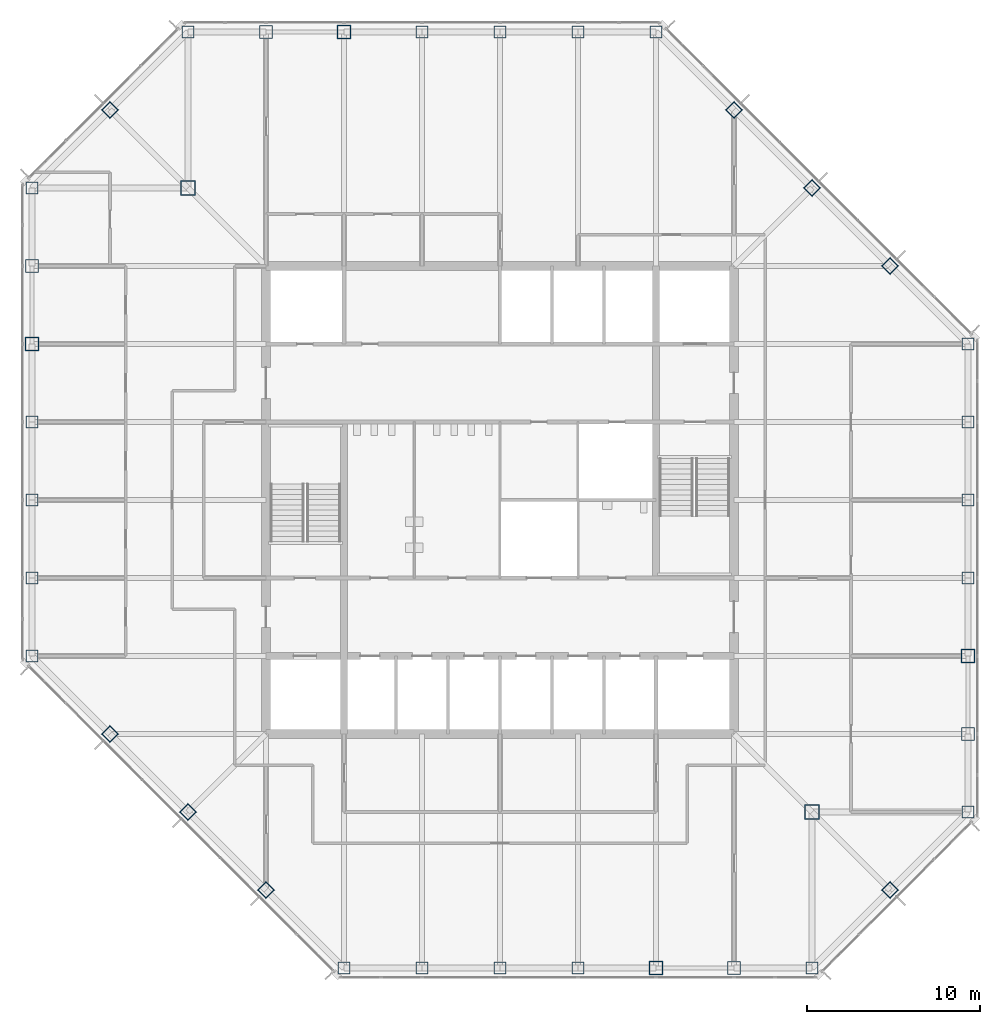
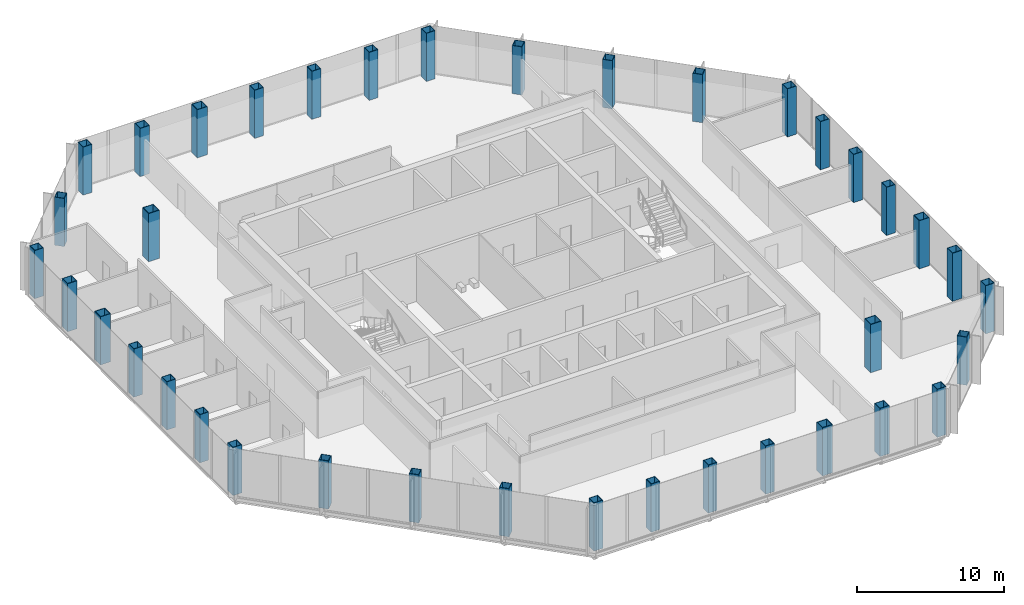
# One storey, part 1 of 13: 38 columns.
"""IFC4 building model written with IfcOpenShell, lengths in metres."""

from ifc_helpers import new_model, si_unit, direction, frame, origin, origin_2d, place, context, subcontext, project, spatial, hollow_rectangle, extrude, material, material_profile, profile_set, type_object, element, save


model = new_model("IFC4")

# Units and contexts
model_context = context("Model", 3, precision=1e-05, world=origin(), true_north=direction((0.0, 1.0)))
body_context = subcontext(model_context, "Body", "Model", "MODEL_VIEW")
ifc_project = project(units=[si_unit("LENGTHUNIT", "METRE"), si_unit("AREAUNIT", "SQUARE_METRE"), si_unit("VOLUMEUNIT", "CUBIC_METRE"), si_unit("PLANEANGLEUNIT", "RADIAN"), si_unit("MASSUNIT", "GRAM", prefix="KILO")], contexts=[model_context])

# Site, building, storey
site_placement = place(None, origin())
site = spatial("IfcSite", under=ifc_project, at=site_placement, CompositionType="ELEMENT")
building_placement = place(site_placement, origin())
building = spatial("IfcBuilding", under=site, at=building_placement, Name="Corais Broadcast Tower", CompositionType="ELEMENT")
storey_placement = place(building_placement, frame((0.0, 0.0, 155.60009765625)))
storey = spatial("IfcBuildingStorey", under=building, at=storey_placement, Name="L35", CompositionType="ELEMENT", Elevation=155.60009765625)

# Columns
ifc_material_1 = material(Name="Steel ASTM A572 Grade 50", Category="steel")
ifc_material_profile_1 = material_profile(ifc_material_1, hollow_rectangle(XDim=0.699951171875, YDim=0.699951171875, WallThickness=0.035888671875, at=origin_2d()), Name="BOX 700x700x36")
ifc_profile_set_1 = profile_set([ifc_material_profile_1], Name="Steel ASTM A572 Grade 50")
column_type_1 = type_object("IfcColumnType", Name="Column BOX 700x700x36", PredefinedType="COLUMN", material=ifc_profile_set_1)
for number, where, z_axis, x_axis, name in (
    (1, (18.0, 0.0, 0.0), (0.0, 0.0, 1.0), (1.0, 0.0, 0.0), "C5 A/7"),
    (2, (22.5, 0.0, 0.0), (0.0, 0.0, 1.0), (1.0, 0.0, 0.0), "C5 A/8"),
    (3, (27.0, 0.0, 0.0), (0.0, 0.0, 1.0), (1.0, 0.0, 0.0), "C5 A/9"),
    (4, (31.5, 0.0, 0.0), (0.0, 0.0, 1.0), (1.0, 0.0, 0.0), "C5 A/10"),
    (5, (45.0, 0.0, 0.0), (0.0, 0.0, 1.0), (1.0, 0.0, 0.0), "C5 A/13"),
    (6, (54.0, 9.0, 0.0), (0.0, 0.0, 1.0), (1.0, 0.0, 0.0), "C5 C/15"),
    (7, (54.0, 22.5, 0.0), (0.0, 0.0, 1.0), (1.0, 0.0, 0.0), "C5 F/15"),
    (8, (54.0, 27.0, 0.0), (0.0, 0.0, 1.0), (1.0, 0.0, 0.0), "C5 G/15"),
    (9, (54.0, 31.5, 0.0), (0.0, 0.0, 1.0), (1.0, 0.0, 0.0), "C5 H/15"),
    (10, (54.0, 36.0, 0.0), (0.0, 0.0, 1.0), (1.0, 0.0, 0.0), "C5 J/15"),
    (11, (36.0, 54.0, 0.0), (0.0, 0.0, 1.0), (1.0, 0.0, 0.0), "C5 N/11"),
    (12, (31.5, 54.0, 0.0), (0.0, 0.0, 1.0), (1.0, 0.0, 0.0), "C5 N/10"),
    (13, (27.0, 54.0, 0.0), (0.0, 0.0, 1.0), (1.0, 0.0, 0.0), "C5 N/9"),
    (14, (22.5, 54.0, 0.0), (0.0, 0.0, 1.0), (1.0, 0.0, 0.0), "C5 N/8"),
    (15, (9.0, 54.0, 0.0), (0.0, 0.0, 1.0), (1.0, 0.0, 0.0), "C5 N/5"),
    (16, (0.0, 45.0, 0.0), (0.0, 0.0, 1.0), (1.0, 0.0, 0.0), "C5 L/3"),
    (17, (0.0, 31.5, 0.0), (0.0, 0.0, 1.0), (1.0, 0.0, 0.0), "C5 H/3"),
    (18, (0.0, 27.0, 0.0), (0.0, 0.0, 1.0), (1.0, 0.0, 0.0), "C5 G/3"),
    (19, (0.0, 22.5, 0.0), (0.0, 0.0, 1.0), (1.0, 0.0, 0.0), "C5 F/3"),
    (20, (0.0, 18.0, 0.0), (0.0, 0.0, 1.0), (1.0, 0.0, 0.0), "C5 E/3"),
    (21, (13.5, 4.5, 0.0), (0.0, 0.0, 1.0), (0.707106781187, 0.707106781187, 0.0), "C5 B/6"),
    (22, (9.0, 9.0, 0.0), (0.0, 0.0, 1.0), (0.707106781187, 0.707106781187, 0.0), "C5 C/5"),
    (23, (4.5, 13.5, 0.0), (0.0, 0.0, 1.0), (0.707106781187, 0.707106781187, 0.0), "C5 D/4"),
    (24, (49.5, 4.5, 0.0), (0.0, 0.0, 1.0), (0.707106781187, 0.707106781187, 0.0), "C5 B/14"),
    (25, (49.5, 40.5, 0.0), (0.0, 0.0, 1.0), (0.707106781187, 0.707106781187, 0.0), "C5 K/14"),
    (26, (45.0, 45.0, 0.0), (0.0, 0.0, 1.0), (0.707106781187, 0.707106781187, 0.0), "C5 L/13"),
    (27, (40.5, 49.5, 0.0), (0.0, 0.0, 1.0), (0.707106781187, 0.707106781187, 0.0), "C5 M/12"),
    (28, (4.5, 49.5, 0.0), (0.0, 0.0, 1.0), (0.707106781187, 0.707106781187, 0.0), "C5 M/4"),
):
    element("IfcColumn", number, at=place(storey_placement, frame(where, z_axis=z_axis, x_axis=x_axis)), inside=storey, type_object=column_type_1, Name=name, PredefinedType="COLUMN", context=body_context, shape_type="SweptSolid", body=[
        extrude(hollow_rectangle(XDim=0.699951171875, YDim=0.699951171875, WallThickness=0.035888671875, at=origin_2d()), origin(), (0.0, 0.0, 1.0), 4.0),
    ])
ifc_material_2 = material(Name="Steel ASTM A572 Grade 50", Category="steel")
ifc_material_profile_2 = material_profile(ifc_material_2, hollow_rectangle(XDim=0.75, YDim=0.75, WallThickness=0.0400390625, at=origin_2d()), Name="BOX 750x750x40")
ifc_profile_set_2 = profile_set([ifc_material_profile_2], Name="Steel ASTM A572 Grade 50")
column_type_2 = type_object("IfcColumnType", Name="Column BOX 750x750x40", PredefinedType="COLUMN", material=ifc_profile_set_2)
for number, where, z_axis, x_axis, name in (
    (29, (40.5, 0.0, 0.0), (0.0, 0.0, 1.0), (1.0, 0.0, 0.0), "C4 A/12"),
    (30, (54.0, 13.5, 0.0), (0.0, 0.0, 1.0), (1.0, 0.0, 0.0), "C4 D/15"),
    (31, (13.5, 54.0, 0.0), (0.0, 0.0, 1.0), (1.0, 0.0, 0.0), "C4 N/6"),
    (32, (0.0, 40.5, 0.0), (0.0, 0.0, 1.0), (1.0, 0.0, 0.0), "C4 K/3"),
):
    element("IfcColumn", number, at=place(storey_placement, frame(where, z_axis=z_axis, x_axis=x_axis)), inside=storey, type_object=column_type_2, Name=name, PredefinedType="COLUMN", context=body_context, shape_type="SweptSolid", body=[
        extrude(hollow_rectangle(XDim=0.75, YDim=0.75, WallThickness=0.0400390625, at=origin_2d()), origin(), (0.0, 0.0, 1.0), 4.0),
    ])
ifc_material_3 = material(Name="Steel ASTM A572 Grade 50", Category="steel")
ifc_material_profile_3 = material_profile(ifc_material_3, hollow_rectangle(XDim=0.800048828125, YDim=0.800048828125, WallThickness=0.044921875, at=origin_2d()), Name="BOX 800x800x45")
ifc_profile_set_3 = profile_set([ifc_material_profile_3], Name="Steel ASTM A572 Grade 50")
column_type_3 = type_object("IfcColumnType", Name="Column BOX 800x800x45", PredefinedType="COLUMN", material=ifc_profile_set_3)
for number, where, z_axis, x_axis, name in (
    (33, (36.0, 0.0, 0.0), (0.0, 0.0, 1.0), (1.0, 0.0, 0.0), "C3 A/11"),
    (34, (54.0, 18.0, 0.0), (0.0, 0.0, 1.0), (1.0, 0.0, 0.0), "C3 E/15"),
    (35, (18.0, 54.0, 0.0), (0.0, 0.0, 1.0), (1.0, 0.0, 0.0), "C3 N/7"),
    (36, (0.0, 36.0, 0.0), (0.0, 0.0, 1.0), (1.0, 0.0, 0.0), "C3 J/3"),
):
    element("IfcColumn", number, at=place(storey_placement, frame(where, z_axis=z_axis, x_axis=x_axis)), inside=storey, type_object=column_type_3, Name=name, PredefinedType="COLUMN", context=body_context, shape_type="SweptSolid", body=[
        extrude(hollow_rectangle(XDim=0.800048828125, YDim=0.800048828125, WallThickness=0.044921875, at=origin_2d()), origin(), (0.0, 0.0, 1.0), 4.0),
    ])
ifc_material_4 = material(Name="Steel ASTM A572 Grade 50", Category="steel")
ifc_material_profile_4 = material_profile(ifc_material_4, hollow_rectangle(XDim=0.85009765625, YDim=0.85009765625, WallThickness=0.050048828125, at=origin_2d()), Name="BOX 850x850x50")
ifc_profile_set_4 = profile_set([ifc_material_profile_4], Name="Steel ASTM A572 Grade 50")
column_type_4 = type_object("IfcColumnType", Name="Column BOX 850x850x50", PredefinedType="COLUMN", material=ifc_profile_set_4)
for number, where, z_axis, x_axis, name in (
    (37, (45.0, 9.0, 0.0), (0.0, 0.0, 1.0), (1.0, 0.0, 0.0), "C1 C/13"),
    (38, (9.0, 45.0, 0.0), (0.0, 0.0, 1.0), (1.0, 0.0, 0.0), "C1 L/5"),
):
    element("IfcColumn", number, at=place(storey_placement, frame(where, z_axis=z_axis, x_axis=x_axis)), inside=storey, type_object=column_type_4, Name=name, PredefinedType="COLUMN", context=body_context, shape_type="SweptSolid", body=[
        extrude(hollow_rectangle(XDim=0.85009765625, YDim=0.85009765625, WallThickness=0.050048828125, at=origin_2d()), origin(), (0.0, 0.0, 1.0), 4.0),
    ])

save(model, "model.ifc")
